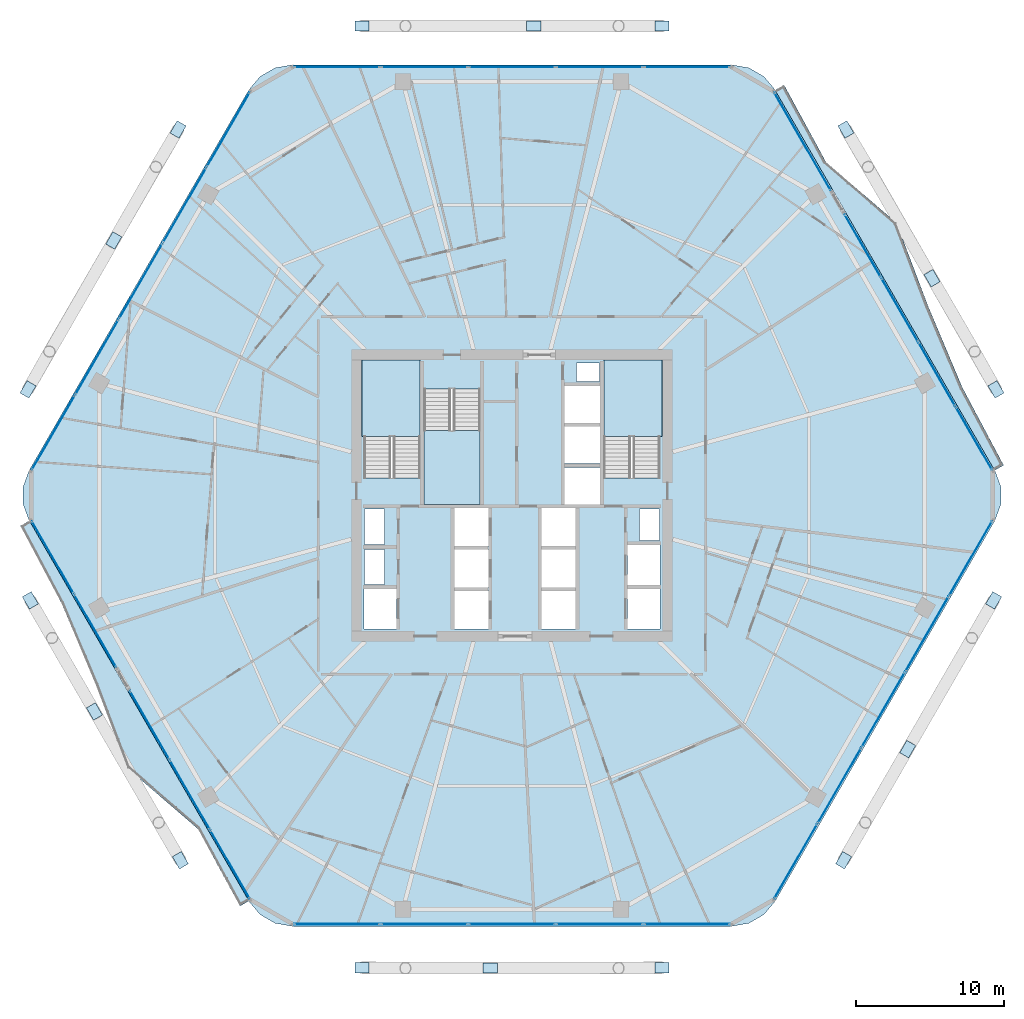
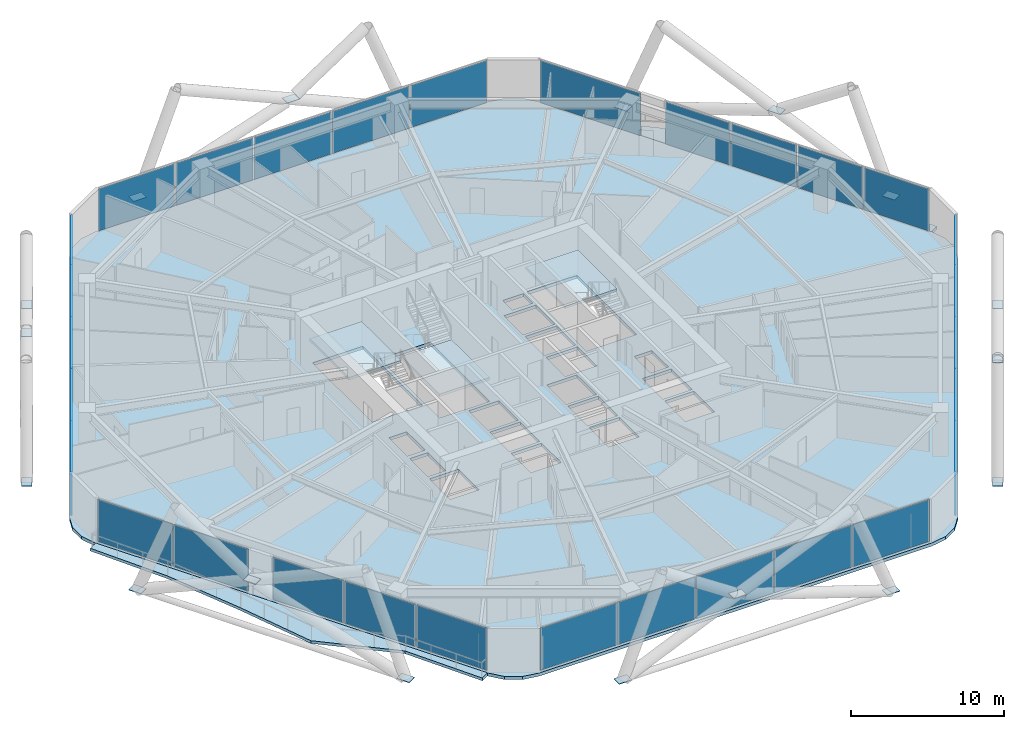
# One storey, part 26 of 35: 48 plates, 6 slabs, 11 elements without a shape of their own.
"""IFC4 building model written with IfcOpenShell, lengths in metres."""

from ifc_helpers import new_model, si_unit, direction, frame, origin, origin_2d, place, context, subcontext, project, spatial, polyline, rectangle, outline, extrude, material, layer, layer_set, type_object, element, aggregate, save


model = new_model("IFC4")

# Units and contexts
model_context = context("Model", 3, precision=1e-05, world=origin(), true_north=direction((0.0, 1.0)))
body_context = subcontext(model_context, "Body", "Model", "MODEL_VIEW")
ifc_project = project(units=[si_unit("LENGTHUNIT", "METRE"), si_unit("AREAUNIT", "SQUARE_METRE"), si_unit("VOLUMEUNIT", "CUBIC_METRE"), si_unit("PLANEANGLEUNIT", "RADIAN"), si_unit("MASSUNIT", "GRAM", prefix="KILO")], contexts=[model_context])

# Site, building, storey
site_placement = place(None, origin())
site = spatial("IfcSite", under=ifc_project, at=site_placement, CompositionType="ELEMENT")
building_placement = place(site_placement, origin())
building = spatial("IfcBuilding", under=site, at=building_placement, Name="Zuhravey Tower", CompositionType="ELEMENT")
storey_placement = place(building_placement, frame((0.0, 0.0, 122.800048828125)))
storey = spatial("IfcBuildingStorey", under=building, at=storey_placement, Name="L30", CompositionType="ELEMENT", Elevation=122.800048828125)

# Plates
ifc_material_1 = material(Name="Steel SM460", Category="steel")
ifc_layer_1 = layer(ifc_material_1, 0.0400390625)
ifc_layer_set_1 = layer_set([ifc_layer_1], Name="Steel SM460")
plate_type_1 = type_object("IfcPlateType", Name="Exoskeleton Zone 1 Node Plate ND1", PredefinedType="SHEET", material=ifc_layer_set_1)
for number, where, z_axis, x_axis, name in (
    (1, (68.693359375, 39.17041015625, -0.484130859375), (0.0, 0.0, 1.0), (-0.5, 0.866025403784, 0.0), "L30 Exoskeleton Node Gusset L30-01"),
    (2, (58.556396484375, 56.72802734375, -0.484130859375), (0.0, 0.0, 1.0), (-0.5, 0.866025403784, 0.0), "L30 Exoskeleton Node Gusset L30-02"),
    (3, (46.13671875, 63.718505859375, -0.484130859375), (0.0, 0.0, 1.0), (-1.0, 0.0, 0.0), "L30 Exoskeleton Node Gusset L30-03"),
    (4, (25.86328125, 63.718505859375, -0.484130859375), (0.0, 0.0, 1.0), (-1.0, 0.0, 0.0), "L30 Exoskeleton Node Gusset L30-04"),
    (5, (13.443603515625, 56.72802734375, -0.484130859375), (0.0, 0.0, 1.0), (-0.5, -0.866025403784, 0.0), "L30 Exoskeleton Node Gusset L30-05"),
    (6, (3.306640625, 39.17041015625, -0.484130859375), (0.0, 0.0, 1.0), (-0.5, -0.866025403784, 0.0), "L30 Exoskeleton Node Gusset L30-06"),
    (7, (3.462646484375, 24.91943359375, -0.484130859375), (0.0, 0.0, 1.0), (0.5, -0.866025403784, 0.0), "L30 Exoskeleton Node Gusset L30-07"),
    (8, (13.599365234375, 7.362060546875, -0.484130859375), (0.0, 0.0, 1.0), (0.5, -0.866025403784, 0.0), "L30 Exoskeleton Node Gusset L30-08"),
    (9, (25.86328125, 0.1015625, -0.484130859375), (0.0, 0.0, 1.0), (1.0, 0.0, 0.0), "L30 Exoskeleton Node Gusset L30-09"),
    (10, (46.13671875, 0.1015625, -0.484130859375), (0.0, 0.0, 1.0), (1.0, 0.0, 0.0), "L30 Exoskeleton Node Gusset L30-10"),
    (11, (58.400634765625, 7.362060546875, -0.484130859375), (0.0, 0.0, 1.0), (0.5, 0.866025403784, 0.0), "L30 Exoskeleton Node Gusset L30-11"),
    (12, (68.537353515625, 24.91943359375, -0.484130859375), (0.0, 0.0, 1.0), (0.5, 0.866025403784, 0.0), "L30 Exoskeleton Node Gusset L30-12"),
    (13, (64.37353515625, 46.682373046875, 3.31591796875), (0.0, 0.0, 1.0), (-0.5, 0.866025403784, 0.0), "L30 Face 1 Diagrid X-Crossing Plate"),
    (14, (37.471435546875, 63.718505859375, 3.31591796875), (0.0, 0.0, 1.0), (-1.0, 0.0, 0.0), "L30 Face 2 Diagrid X-Crossing Plate"),
    (15, (9.097900390625, 49.231201171875, 3.31591796875), (0.0, 0.0, 1.0), (-0.5, -0.866025403784, 0.0), "L30 Face 3 Diagrid X-Crossing Plate"),
    (16, (7.79541015625, 17.4150390625, 3.31591796875), (0.0, 0.0, 1.0), (0.5, -0.866025403784, 0.0), "L30 Face 4 Diagrid X-Crossing Plate"),
    (17, (34.528564453125, 0.08642578125, 3.31591796875), (0.0, 0.0, 1.0), (1.0, 0.0, 0.0), "L30 Face 5 Diagrid X-Crossing Plate"),
    (18, (62.733154296875, 14.866455078125, 3.31591796875), (0.0, 0.0, 1.0), (0.5, 0.866025403784, 0.0), "L30 Face 6 Diagrid X-Crossing Plate"),
):
    element("IfcPlate", number, at=place(storey_placement, frame(where, z_axis=z_axis, x_axis=x_axis)), inside=storey, type_object=plate_type_1, Name=name, PredefinedType="SHEET", context=body_context, shape_type="SweptSolid", body=[
        extrude(rectangle(XDim=0.9599609375, YDim=0.699951171875, at=origin_2d()), origin(), (0.0, 0.0, 1.0), 0.0400390625),
    ])

# Slabs
ifc_material_2 = material(Name="Concrete C50/60", Category="concrete")
ifc_layer_2 = layer(ifc_material_2, 0.25)
ifc_layer_set_2 = layer_set([ifc_layer_2], Name="Concrete C50/60")
slab_type_1 = type_object("IfcSlabType", Name="Residential Acoustic Slab 250", PredefinedType="FLOOR", material=ifc_layer_set_2)
slab_1_placement = place(storey_placement, frame((0.0, 0.0, -0.25)))
element("IfcSlab", 19, at=slab_1_placement, inside=storey, type_object=slab_type_1, Name="L30 Floor Slab FS25", PredefinedType="FLOOR", context=body_context, shape_type="SweptSolid", body=[
    extrude(outline(polyline([(68.618408203125, 30.300048828125), (69.0224609375, 31.40966796875), (69.0224609375, 32.59033203125), (68.618408203125, 33.699951171875), (53.781494140625, 59.3984375), (53.0224609375, 60.302978515625), (52.0, 60.893310546875), (50.8369140625, 61.098388671875), (21.1630859375, 61.098388671875), (20.0, 60.893310546875), (18.9775390625, 60.302978515625), (18.218505859375, 59.3984375), (3.381591796875, 33.699951171875), (2.9775390625, 32.59033203125), (2.9775390625, 31.40966796875), (3.381591796875, 30.300048828125), (18.218505859375, 4.6015625), (18.9775390625, 3.697021484375), (20.0, 3.106689453125), (21.1630859375, 2.901611328125), (50.8369140625, 2.901611328125), (52.0, 3.106689453125), (53.0224609375, 3.697021484375), (53.781494140625, 4.6015625), (68.618408203125, 30.300048828125)]), holes=[polyline([(29.800048828125, 33.20068359375), (29.800048828125, 41.0), (26.0, 41.0), (26.0, 33.20068359375), (29.800048828125, 33.20068359375)]), polyline([(46.0, 33.20068359375), (46.0, 41.0), (42.199951171875, 41.0), (42.199951171875, 33.20068359375), (46.0, 33.20068359375)]), polyline([(30.050048828125, 39.199462890625), (30.050048828125, 31.39990234375), (33.85009765625, 31.39990234375), (33.85009765625, 39.199462890625), (30.050048828125, 39.199462890625)]), polyline([(32.10009765625, 23.0), (34.39990234375, 23.0), (34.39990234375, 25.550048828125), (32.10009765625, 25.550048828125), (32.10009765625, 23.0)]), polyline([(32.10009765625, 25.800048828125), (34.39990234375, 25.800048828125), (34.39990234375, 28.35009765625), (32.10009765625, 28.35009765625), (32.10009765625, 25.800048828125)]), polyline([(32.10009765625, 28.60009765625), (34.39990234375, 28.60009765625), (34.39990234375, 31.14990234375), (32.10009765625, 31.14990234375), (32.10009765625, 28.60009765625)]), polyline([(38.0, 23.0), (40.300048828125, 23.0), (40.300048828125, 25.550048828125), (38.0, 25.550048828125), (38.0, 23.0)]), polyline([(38.0, 25.800048828125), (40.300048828125, 25.800048828125), (40.300048828125, 28.35009765625), (38.0, 28.35009765625), (38.0, 25.800048828125)]), polyline([(38.0, 28.60009765625), (40.300048828125, 28.60009765625), (40.300048828125, 31.14990234375), (38.0, 31.14990234375), (38.0, 28.60009765625)]), polyline([(39.550048828125, 31.39990234375), (41.949951171875, 31.39990234375), (41.949951171875, 33.89990234375), (39.550048828125, 33.89990234375), (39.550048828125, 31.39990234375)]), polyline([(39.550048828125, 34.14990234375), (41.949951171875, 34.14990234375), (41.949951171875, 36.64990234375), (39.550048828125, 36.64990234375), (39.550048828125, 34.14990234375)]), polyline([(39.550048828125, 36.89990234375), (41.949951171875, 36.89990234375), (41.949951171875, 39.39990234375), (39.550048828125, 39.39990234375), (39.550048828125, 36.89990234375)]), polyline([(26.0, 23.0), (28.199951171875, 23.0), (28.199951171875, 25.699951171875), (26.0, 25.699951171875), (26.0, 23.0)]), polyline([(43.800048828125, 23.0), (46.0, 23.0), (46.0, 25.699951171875), (43.800048828125, 25.699951171875), (43.800048828125, 23.0)]), polyline([(43.800048828125, 25.949951171875), (46.0, 25.949951171875), (46.0, 28.64990234375), (43.800048828125, 28.64990234375), (43.800048828125, 25.949951171875)]), polyline([(26.050048828125, 26.0), (27.39990234375, 26.0), (27.39990234375, 28.35009765625), (26.050048828125, 28.35009765625), (26.050048828125, 26.0)]), polyline([(26.050048828125, 28.699951171875), (27.39990234375, 28.699951171875), (27.39990234375, 31.10009765625), (26.050048828125, 31.10009765625), (26.050048828125, 28.699951171875)]), polyline([(44.60009765625, 28.949951171875), (45.949951171875, 28.949951171875), (45.949951171875, 31.10009765625), (44.60009765625, 31.10009765625), (44.60009765625, 28.949951171875)]), polyline([(40.35009765625, 39.699951171875), (41.89990234375, 39.699951171875), (41.89990234375, 40.949951171875), (40.35009765625, 40.949951171875), (40.35009765625, 39.699951171875)])]), origin(), (0.0, 0.0, 1.0), 0.25),
])
ifc_material_3 = material(Name="Concrete C40/50", Category="concrete")
ifc_layer_3 = layer(ifc_material_3, 0.219970703125)
ifc_layer_set_3 = layer_set([ifc_layer_3], Name="Concrete C40/50")
slab_type_2 = type_object("IfcSlabType", Name="Sinusoidal Residential Wave Balcony 220", PredefinedType="FLOOR", material=ifc_layer_set_3)
slab_2_placement = place(storey_placement, frame((0.0, 0.0, -0.219970703125)))
element("IfcSlab", 20, at=slab_2_placement, inside=storey, type_object=slab_type_2, Name="L30 Face 1 Wave Balcony WB22", PredefinedType="FLOOR", context=body_context, shape_type="SweptSolid", body=[
    extrude(outline(polyline([(68.601318359375, 33.699951171875), (53.772705078125, 59.383544921875), (54.37890625, 59.7333984375), (57.212158203125, 54.520263671875), (61.972412109375, 50.419677734375), (64.104248046875, 44.801513671875), (66.422119140625, 39.291015625), (69.20751953125, 34.050048828125), (68.601318359375, 33.699951171875)])), origin(), (0.0, 0.0, 1.0), 0.219970703125),
])
slab_3_placement = place(storey_placement, frame((0.0, 0.0, -0.219970703125)))
element("IfcSlab", 21, at=slab_3_placement, inside=storey, type_object=slab_type_2, Name="L30 Face 4 Wave Balcony WB22", PredefinedType="FLOOR", context=body_context, shape_type="SweptSolid", body=[
    extrude(outline(polyline([(3.398681640625, 30.300048828125), (18.227294921875, 4.616455078125), (17.62109375, 4.2666015625), (14.787841796875, 9.479736328125), (10.027587890625, 13.580322265625), (7.895751953125, 19.198486328125), (5.577880859375, 24.708984375), (2.79248046875, 29.949951171875), (3.398681640625, 30.300048828125)])), origin(), (0.0, 0.0, 1.0), 0.219970703125),
])

# Stair, slab
stair_type = type_object("IfcStairType", Name="Housing Storey Stair Assembly 3800", PredefinedType="HALF_TURN_STAIR", material=ifc_material_3)
stair_1_placement = place(storey_placement, origin())
stair_1 = element("IfcStair", 22, at=stair_1_placement, inside=storey, type_object=stair_type, Name="L30 Core Exit Stair ST1", PredefinedType="HALF_TURN_STAIR")
ifc_layer_4 = layer(ifc_material_3, 0.199951171875)
ifc_layer_set_4 = layer_set([ifc_layer_4], Name="Concrete C40/50")
slab_type_3 = type_object("IfcSlabType", Name="Stair Landing Slab 200", PredefinedType="LANDING", material=ifc_layer_set_4)
slab_4_placement = place(storey_placement, frame((0.0, 0.0, 1.699951171875)))
slab_4 = element("IfcSlab", 23, at=slab_4_placement, type_object=slab_type_3, Name="ST1 landing 1", PredefinedType="LANDING", context=body_context, shape_type="SweptSolid", body=[
    extrude(outline(polyline([(29.800048828125, 36.0), (29.800048828125, 41.14794921875), (25.85205078125, 41.14794921875), (25.85205078125, 36.0), (29.800048828125, 36.0)])), origin(), (0.0, 0.0, 1.0), 0.199951171875),
])
aggregate(stair_1, [slab_4])

stair_2_placement = place(storey_placement, origin())
stair_2 = element("IfcStair", 24, at=stair_2_placement, inside=storey, type_object=stair_type, Name="L30 Core Exit Stair ST2", PredefinedType="HALF_TURN_STAIR")
slab_5_placement = place(storey_placement, frame((0.0, 0.0, 1.699951171875)))
slab_5 = element("IfcSlab", 25, at=slab_5_placement, type_object=slab_type_3, Name="ST2 landing 1", PredefinedType="LANDING", context=body_context, shape_type="SweptSolid", body=[
    extrude(outline(polyline([(46.14794921875, 36.0), (46.14794921875, 41.14794921875), (42.199951171875, 41.14794921875), (42.199951171875, 36.0), (46.14794921875, 36.0)])), origin(), (0.0, 0.0, 1.0), 0.199951171875),
])
aggregate(stair_2, [slab_5])

stair_3_placement = place(storey_placement, origin())
stair_3 = element("IfcStair", 26, at=stair_3_placement, inside=storey, type_object=stair_type, Name="L30 Core Exit Stair ST3", PredefinedType="HALF_TURN_STAIR")
slab_6_placement = place(storey_placement, frame((0.0, 0.0, 1.699951171875)))
slab_6 = element("IfcSlab", 27, at=slab_6_placement, type_object=slab_type_3, Name="ST3 landing 1", PredefinedType="LANDING", context=body_context, shape_type="SweptSolid", body=[
    extrude(outline(polyline([(30.050048828125, 36.39990234375), (30.050048828125, 31.39990234375), (33.85009765625, 31.39990234375), (33.85009765625, 36.39990234375), (30.050048828125, 36.39990234375)])), origin(), (0.0, 0.0, 1.0), 0.199951171875),
])
aggregate(stair_3, [slab_6])

# Curtain wall, plates
ifc_material_4 = material(Name="Thermally broken anodised aluminium", Category="aluminium")
curtain_wall_type = type_object("IfcCurtainWallType", Name="Zone 1-2 Residential Curtain Wall CW3", PredefinedType="NOTDEFINED", material=ifc_material_4)
curtain_wall_1_placement = place(storey_placement, origin())
curtain_wall_1 = element("IfcCurtainWall", 28, at=curtain_wall_1_placement, inside=storey, type_object=curtain_wall_type, Name="L30 CW3 CW-L30-F6-1", PredefinedType="NOTDEFINED")
ifc_material_5 = material(Name="Triple low-E insulated vision glass", Category="glass")
ifc_layer_5 = layer(ifc_material_5, 0.0419921875)
ifc_layer_set_5 = layer_set([ifc_layer_5], Name="Triple low-E insulated vision glass")
plate_type_2 = type_object("IfcPlateType", Name="Triple Low-E Vision Panel", PredefinedType="CURTAIN_PANEL", material=ifc_layer_set_5)
plate_1_placement = place(storey_placement, frame((66.9873046875, 27.754638671875, 0.08984375), z_axis=(0.0, 0.0, 1.0), x_axis=(-0.499999794119, -0.86602552265, 0.0)))
plate_1 = element("IfcPlate", 29, at=plate_1_placement, type_object=plate_type_2, Name="CW3 panel 1.1", PredefinedType="CURTAIN_PANEL", context=body_context, shape_type="SweptSolid", body=[
    extrude(rectangle(XDim=5.784912109375, YDim=0.0419921875, at=origin_2d()), origin(), (0.0, 0.0, 1.0), 3.3701171875),
])
plate_2_placement = place(storey_placement, frame((64.03857421875, 22.6474609375, 0.08984375), z_axis=(0.0, 0.0, 1.0), x_axis=(-0.499999794119, -0.86602552265, 0.0)))
plate_2 = element("IfcPlate", 30, at=plate_2_placement, type_object=plate_type_2, Name="CW3 panel 2.1", PredefinedType="CURTAIN_PANEL", context=body_context, shape_type="SweptSolid", body=[
    extrude(rectangle(XDim=5.829833984375, YDim=0.0419921875, at=origin_2d()), origin(), (0.0, 0.0, 1.0), 3.3701171875),
])
plate_3_placement = place(storey_placement, frame((61.078857421875, 17.520751953125, 0.08984375), z_axis=(0.0, 0.0, 1.0), x_axis=(-0.499999794119, -0.86602552265, 0.0)))
plate_3 = element("IfcPlate", 31, at=plate_3_placement, type_object=plate_type_2, Name="CW3 panel 3.1", PredefinedType="CURTAIN_PANEL", context=body_context, shape_type="SweptSolid", body=[
    extrude(rectangle(XDim=5.829833984375, YDim=0.0419921875, at=origin_2d()), origin(), (0.0, 0.0, 1.0), 3.3701171875),
])
plate_4_placement = place(storey_placement, frame((58.118896484375, 12.39404296875, 0.08984375), z_axis=(0.0, 0.0, 1.0), x_axis=(-0.499999794119, -0.86602552265, 0.0)))
plate_4 = element("IfcPlate", 32, at=plate_4_placement, type_object=plate_type_2, Name="CW3 panel 4.1", PredefinedType="CURTAIN_PANEL", context=body_context, shape_type="SweptSolid", body=[
    extrude(rectangle(XDim=5.829833984375, YDim=0.0419921875, at=origin_2d()), origin(), (0.0, 0.0, 1.0), 3.3701171875),
])
plate_5_placement = place(storey_placement, frame((55.170166015625, 7.286865234375, 0.08984375), z_axis=(0.0, 0.0, 1.0), x_axis=(-0.499999794119, -0.86602552265, 0.0)))
plate_5 = element("IfcPlate", 33, at=plate_5_placement, type_object=plate_type_2, Name="CW3 panel 5.1", PredefinedType="CURTAIN_PANEL", context=body_context, shape_type="SweptSolid", body=[
    extrude(rectangle(XDim=5.784912109375, YDim=0.0419921875, at=origin_2d()), origin(), (0.0, 0.0, 1.0), 3.3701171875),
])
aggregate(curtain_wall_1, [plate_1, plate_2, plate_3, plate_4, plate_5])

curtain_wall_2_placement = place(storey_placement, origin())
curtain_wall_2 = element("IfcCurtainWall", 34, at=curtain_wall_2_placement, inside=storey, type_object=curtain_wall_type, Name="L30 CW3 CW-L30-F5-1", PredefinedType="NOTDEFINED")
plate_6_placement = place(storey_placement, frame((47.817138671875, 3.04150390625, 0.08984375), z_axis=(0.0, 0.0, 1.0), x_axis=(-1.0, 0.0, 0.0)))
plate_6 = element("IfcPlate", 35, at=plate_6_placement, type_object=plate_type_2, Name="CW3 panel 1.1", PredefinedType="CURTAIN_PANEL", context=body_context, shape_type="SweptSolid", body=[
    extrude(rectangle(XDim=5.784912109375, YDim=0.0419921875, at=origin_2d()), origin(), (0.0, 0.0, 1.0), 3.3701171875),
])
plate_7_placement = place(storey_placement, frame((41.919921875, 3.04150390625, 0.08984375), z_axis=(0.0, 0.0, 1.0), x_axis=(-1.0, 0.0, 0.0)))
plate_7 = element("IfcPlate", 36, at=plate_7_placement, type_object=plate_type_2, Name="CW3 panel 2.1", PredefinedType="CURTAIN_PANEL", context=body_context, shape_type="SweptSolid", body=[
    extrude(rectangle(XDim=5.829833984375, YDim=0.0419921875, at=origin_2d()), origin(), (0.0, 0.0, 1.0), 3.3701171875),
])
plate_8_placement = place(storey_placement, frame((36.0, 3.04150390625, 0.08984375), z_axis=(0.0, 0.0, 1.0), x_axis=(-1.0, 0.0, 0.0)))
plate_8 = element("IfcPlate", 37, at=plate_8_placement, type_object=plate_type_2, Name="CW3 panel 3.1", PredefinedType="CURTAIN_PANEL", context=body_context, shape_type="SweptSolid", body=[
    extrude(rectangle(XDim=5.829833984375, YDim=0.0419921875, at=origin_2d()), origin(), (0.0, 0.0, 1.0), 3.3701171875),
])
plate_9_placement = place(storey_placement, frame((30.080078125, 3.04150390625, 0.08984375), z_axis=(0.0, 0.0, 1.0), x_axis=(-1.0, 0.0, 0.0)))
plate_9 = element("IfcPlate", 38, at=plate_9_placement, type_object=plate_type_2, Name="CW3 panel 4.1", PredefinedType="CURTAIN_PANEL", context=body_context, shape_type="SweptSolid", body=[
    extrude(rectangle(XDim=5.829833984375, YDim=0.0419921875, at=origin_2d()), origin(), (0.0, 0.0, 1.0), 3.3701171875),
])
plate_10_placement = place(storey_placement, frame((24.182861328125, 3.04150390625, 0.08984375), z_axis=(0.0, 0.0, 1.0), x_axis=(-1.0, 0.0, 0.0)))
plate_10 = element("IfcPlate", 39, at=plate_10_placement, type_object=plate_type_2, Name="CW3 panel 5.1", PredefinedType="CURTAIN_PANEL", context=body_context, shape_type="SweptSolid", body=[
    extrude(rectangle(XDim=5.784912109375, YDim=0.0419921875, at=origin_2d()), origin(), (0.0, 0.0, 1.0), 3.3701171875),
])
aggregate(curtain_wall_2, [plate_6, plate_7, plate_8, plate_9, plate_10])

curtain_wall_3_placement = place(storey_placement, origin())
curtain_wall_3 = element("IfcCurtainWall", 40, at=curtain_wall_3_placement, inside=storey, type_object=curtain_wall_type, Name="L30 CW3 CW-L30-F4-1", PredefinedType="NOTDEFINED")
plate_11_placement = place(storey_placement, frame((16.94677734375, 7.084228515625, 0.08984375), z_axis=(0.0, 0.0, 1.0), x_axis=(-0.499998366507, 0.86602634688, 0.0)))
plate_11 = element("IfcPlate", 41, at=plate_11_placement, type_object=plate_type_2, Name="CW3 panel 1.1", PredefinedType="CURTAIN_PANEL", context=body_context, shape_type="SweptSolid", body=[
    extrude(rectangle(XDim=5.31689453125, YDim=0.0419921875, at=origin_2d()), origin(), (0.0, 0.0, 1.0), 3.3701171875),
])
plate_12_placement = place(storey_placement, frame((14.23193359375, 11.786376953125, 0.08984375), z_axis=(0.0, 0.0, 1.0), x_axis=(-0.499998366507, 0.86602634688, 0.0)))
plate_12 = element("IfcPlate", 42, at=plate_12_placement, type_object=plate_type_2, Name="CW3 panel 2.1", PredefinedType="CURTAIN_PANEL", context=body_context, shape_type="SweptSolid", body=[
    extrude(rectangle(XDim=5.362060546875, YDim=0.0419921875, at=origin_2d()), origin(), (0.0, 0.0, 1.0), 3.3701171875),
])
plate_13_placement = place(storey_placement, frame((11.517333984375, 16.48828125, 0.08984375), z_axis=(0.0, 0.0, 1.0), x_axis=(-0.499998366507, 0.86602634688, 0.0)))
plate_13 = element("IfcPlate", 43, at=plate_13_placement, type_object=plate_type_2, Name="CW3 panel 3.1", PredefinedType="CURTAIN_PANEL", context=body_context, shape_type="SweptSolid", body=[
    extrude(rectangle(XDim=5.31689453125, YDim=0.0419921875, at=origin_2d()), origin(), (0.0, 0.0, 1.0), 3.3701171875),
])
aggregate(curtain_wall_3, [plate_11, plate_12, plate_13])

curtain_wall_4_placement = place(storey_placement, origin())
curtain_wall_4 = element("IfcCurtainWall", 44, at=curtain_wall_4_placement, inside=storey, type_object=curtain_wall_type, Name="L30 CW3 CW-L30-F4-2", PredefinedType="NOTDEFINED")
plate_14_placement = place(storey_placement, frame((7.8388671875, 22.859619140625, 0.08984375), z_axis=(0.0, 0.0, 1.0), x_axis=(-0.500003917847, 0.866023141803, 0.0)))
plate_14 = element("IfcPlate", 45, at=plate_14_placement, type_object=plate_type_2, Name="CW3 panel 1.1", PredefinedType="CURTAIN_PANEL", context=body_context, shape_type="SweptSolid", body=[
    extrude(rectangle(XDim=5.636474609375, YDim=0.0419921875, at=origin_2d()), origin(), (0.0, 0.0, 1.0), 3.3701171875),
])
plate_15_placement = place(storey_placement, frame((4.9755859375, 27.81884765625, 0.08984375), z_axis=(0.0, 0.0, 1.0), x_axis=(-0.500003917847, 0.866023141803, 0.0)))
plate_15 = element("IfcPlate", 46, at=plate_15_placement, type_object=plate_type_2, Name="CW3 panel 2.1", PredefinedType="CURTAIN_PANEL", context=body_context, shape_type="SweptSolid", body=[
    extrude(rectangle(XDim=5.636474609375, YDim=0.0419921875, at=origin_2d()), origin(), (0.0, 0.0, 1.0), 3.3701171875),
])
aggregate(curtain_wall_4, [plate_14, plate_15])

curtain_wall_5_placement = place(storey_placement, origin())
curtain_wall_5 = element("IfcCurtainWall", 47, at=curtain_wall_5_placement, inside=storey, type_object=curtain_wall_type, Name="L30 CW3 CW-L30-F3-1", PredefinedType="NOTDEFINED")
plate_16_placement = place(storey_placement, frame((5.0126953125, 36.245361328125, 0.08984375), z_axis=(0.0, 0.0, 1.0), x_axis=(0.499999794119, 0.86602552265, 0.0)))
plate_16 = element("IfcPlate", 48, at=plate_16_placement, type_object=plate_type_2, Name="CW3 panel 1.1", PredefinedType="CURTAIN_PANEL", context=body_context, shape_type="SweptSolid", body=[
    extrude(rectangle(XDim=5.784912109375, YDim=0.0419921875, at=origin_2d()), origin(), (0.0, 0.0, 1.0), 3.3701171875),
])
plate_17_placement = place(storey_placement, frame((7.96142578125, 41.3525390625, 0.08984375), z_axis=(0.0, 0.0, 1.0), x_axis=(0.499999794119, 0.86602552265, 0.0)))
plate_17 = element("IfcPlate", 49, at=plate_17_placement, type_object=plate_type_2, Name="CW3 panel 2.1", PredefinedType="CURTAIN_PANEL", context=body_context, shape_type="SweptSolid", body=[
    extrude(rectangle(XDim=5.829833984375, YDim=0.0419921875, at=origin_2d()), origin(), (0.0, 0.0, 1.0), 3.3701171875),
])
plate_18_placement = place(storey_placement, frame((10.921142578125, 46.479248046875, 0.08984375), z_axis=(0.0, 0.0, 1.0), x_axis=(0.499999794119, 0.86602552265, 0.0)))
plate_18 = element("IfcPlate", 50, at=plate_18_placement, type_object=plate_type_2, Name="CW3 panel 3.1", PredefinedType="CURTAIN_PANEL", context=body_context, shape_type="SweptSolid", body=[
    extrude(rectangle(XDim=5.829833984375, YDim=0.0419921875, at=origin_2d()), origin(), (0.0, 0.0, 1.0), 3.3701171875),
])
plate_19_placement = place(storey_placement, frame((13.881103515625, 51.60595703125, 0.08984375), z_axis=(0.0, 0.0, 1.0), x_axis=(0.499999794119, 0.86602552265, 0.0)))
plate_19 = element("IfcPlate", 51, at=plate_19_placement, type_object=plate_type_2, Name="CW3 panel 4.1", PredefinedType="CURTAIN_PANEL", context=body_context, shape_type="SweptSolid", body=[
    extrude(rectangle(XDim=5.829833984375, YDim=0.0419921875, at=origin_2d()), origin(), (0.0, 0.0, 1.0), 3.3701171875),
])
plate_20_placement = place(storey_placement, frame((16.829833984375, 56.713134765625, 0.08984375), z_axis=(0.0, 0.0, 1.0), x_axis=(0.499999794119, 0.86602552265, 0.0)))
plate_20 = element("IfcPlate", 52, at=plate_20_placement, type_object=plate_type_2, Name="CW3 panel 5.1", PredefinedType="CURTAIN_PANEL", context=body_context, shape_type="SweptSolid", body=[
    extrude(rectangle(XDim=5.784912109375, YDim=0.0419921875, at=origin_2d()), origin(), (0.0, 0.0, 1.0), 3.3701171875),
])
aggregate(curtain_wall_5, [plate_16, plate_17, plate_18, plate_19, plate_20])

curtain_wall_6_placement = place(storey_placement, origin())
curtain_wall_6 = element("IfcCurtainWall", 53, at=curtain_wall_6_placement, inside=storey, type_object=curtain_wall_type, Name="L30 CW3 CW-L30-F2-1", PredefinedType="NOTDEFINED")
plate_21_placement = place(storey_placement, frame((24.182861328125, 60.95849609375, 0.08984375), z_axis=(0.0, 0.0, 1.0), x_axis=(1.0, 0.0, 0.0)))
plate_21 = element("IfcPlate", 54, at=plate_21_placement, type_object=plate_type_2, Name="CW3 panel 1.1", PredefinedType="CURTAIN_PANEL", context=body_context, shape_type="SweptSolid", body=[
    extrude(rectangle(XDim=5.784912109375, YDim=0.0419921875, at=origin_2d()), origin(), (0.0, 0.0, 1.0), 3.3701171875),
])
plate_22_placement = place(storey_placement, frame((30.080078125, 60.95849609375, 0.08984375), z_axis=(0.0, 0.0, 1.0), x_axis=(1.0, 0.0, 0.0)))
plate_22 = element("IfcPlate", 55, at=plate_22_placement, type_object=plate_type_2, Name="CW3 panel 2.1", PredefinedType="CURTAIN_PANEL", context=body_context, shape_type="SweptSolid", body=[
    extrude(rectangle(XDim=5.829833984375, YDim=0.0419921875, at=origin_2d()), origin(), (0.0, 0.0, 1.0), 3.3701171875),
])
plate_23_placement = place(storey_placement, frame((36.0, 60.95849609375, 0.08984375), z_axis=(0.0, 0.0, 1.0), x_axis=(1.0, 0.0, 0.0)))
plate_23 = element("IfcPlate", 56, at=plate_23_placement, type_object=plate_type_2, Name="CW3 panel 3.1", PredefinedType="CURTAIN_PANEL", context=body_context, shape_type="SweptSolid", body=[
    extrude(rectangle(XDim=5.829833984375, YDim=0.0419921875, at=origin_2d()), origin(), (0.0, 0.0, 1.0), 3.3701171875),
])
plate_24_placement = place(storey_placement, frame((41.919921875, 60.95849609375, 0.08984375), z_axis=(0.0, 0.0, 1.0), x_axis=(1.0, 0.0, 0.0)))
plate_24 = element("IfcPlate", 57, at=plate_24_placement, type_object=plate_type_2, Name="CW3 panel 4.1", PredefinedType="CURTAIN_PANEL", context=body_context, shape_type="SweptSolid", body=[
    extrude(rectangle(XDim=5.829833984375, YDim=0.0419921875, at=origin_2d()), origin(), (0.0, 0.0, 1.0), 3.3701171875),
])
plate_25_placement = place(storey_placement, frame((47.817138671875, 60.95849609375, 0.08984375), z_axis=(0.0, 0.0, 1.0), x_axis=(1.0, 0.0, 0.0)))
plate_25 = element("IfcPlate", 58, at=plate_25_placement, type_object=plate_type_2, Name="CW3 panel 5.1", PredefinedType="CURTAIN_PANEL", context=body_context, shape_type="SweptSolid", body=[
    extrude(rectangle(XDim=5.784912109375, YDim=0.0419921875, at=origin_2d()), origin(), (0.0, 0.0, 1.0), 3.3701171875),
])
aggregate(curtain_wall_6, [plate_21, plate_22, plate_23, plate_24, plate_25])

# Curtain wall, plate
curtain_wall_7_placement = place(storey_placement, origin())
curtain_wall_7 = element("IfcCurtainWall", 59, at=curtain_wall_7_placement, inside=storey, type_object=curtain_wall_type, Name="L30 CW3 CW-L30-F1-1", PredefinedType="NOTDEFINED")
plate_26_placement = place(storey_placement, frame((55.62548828125, 55.924560546875, 0.08984375), z_axis=(0.0, 0.0, 1.0), x_axis=(0.500000032739, -0.866025384883, 0.0)))
plate_26 = element("IfcPlate", 60, at=plate_26_placement, type_object=plate_type_2, Name="CW3 panel 1.1", PredefinedType="CURTAIN_PANEL", context=body_context, shape_type="SweptSolid", body=[
    extrude(rectangle(XDim=7.605712890625, YDim=0.0419921875, at=origin_2d()), origin(), (0.0, 0.0, 1.0), 3.3701171875),
])
aggregate(curtain_wall_7, [plate_26])

# Curtain wall, plates
curtain_wall_8_placement = place(storey_placement, origin())
curtain_wall_8 = element("IfcCurtainWall", 61, at=curtain_wall_8_placement, inside=storey, type_object=curtain_wall_type, Name="L30 CW3 CW-L30-F1-2", PredefinedType="NOTDEFINED")
plate_27_placement = place(storey_placement, frame((59.690185546875, 48.88427734375, 0.08984375), z_axis=(0.0, 0.0, 1.0), x_axis=(0.499998754599, -0.866026122816, 0.0)))
plate_27 = element("IfcPlate", 62, at=plate_27_placement, type_object=plate_type_2, Name="CW3 panel 1.1", PredefinedType="CURTAIN_PANEL", context=body_context, shape_type="SweptSolid", body=[
    extrude(rectangle(XDim=4.893310546875, YDim=0.0419921875, at=origin_2d()), origin(), (0.0, 0.0, 1.0), 3.3701171875),
])
plate_28_placement = place(storey_placement, frame((62.193115234375, 44.549072265625, 0.08984375), z_axis=(0.0, 0.0, 1.0), x_axis=(0.499998754599, -0.866026122816, 0.0)))
plate_28 = element("IfcPlate", 63, at=plate_28_placement, type_object=plate_type_2, Name="CW3 panel 2.1", PredefinedType="CURTAIN_PANEL", context=body_context, shape_type="SweptSolid", body=[
    extrude(rectangle(XDim=4.938232421875, YDim=0.0419921875, at=origin_2d()), origin(), (0.0, 0.0, 1.0), 3.3701171875),
])
plate_29_placement = place(storey_placement, frame((64.707275390625, 40.194580078125, 0.08984375), z_axis=(0.0, 0.0, 1.0), x_axis=(0.499998754599, -0.866026122816, 0.0)))
plate_29 = element("IfcPlate", 64, at=plate_29_placement, type_object=plate_type_2, Name="CW3 panel 3.1", PredefinedType="CURTAIN_PANEL", context=body_context, shape_type="SweptSolid", body=[
    extrude(rectangle(XDim=4.938232421875, YDim=0.0419921875, at=origin_2d()), origin(), (0.0, 0.0, 1.0), 3.3701171875),
])
plate_30_placement = place(storey_placement, frame((67.210205078125, 35.859375, 0.08984375), z_axis=(0.0, 0.0, 1.0), x_axis=(0.499998754599, -0.866026122816, 0.0)))
plate_30 = element("IfcPlate", 65, at=plate_30_placement, type_object=plate_type_2, Name="CW3 panel 4.1", PredefinedType="CURTAIN_PANEL", context=body_context, shape_type="SweptSolid", body=[
    extrude(rectangle(XDim=4.893310546875, YDim=0.0419921875, at=origin_2d()), origin(), (0.0, 0.0, 1.0), 3.3701171875),
])
aggregate(curtain_wall_8, [plate_27, plate_28, plate_29, plate_30])

save(model, "model.ifc")
